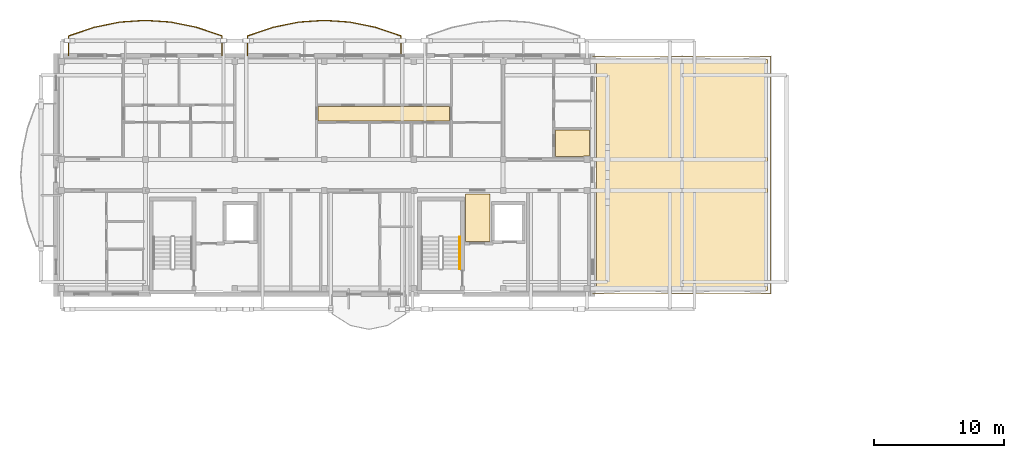
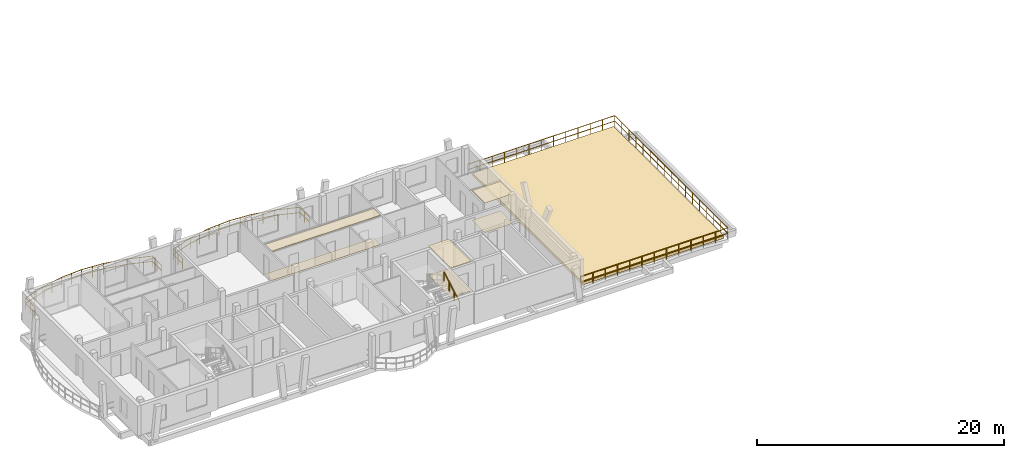
# One storey, part 37 of 42: 7 coverings, 4 railings.
"""IFC4 building model written with IfcOpenShell, lengths in metres."""

from ifc_helpers import new_model, si_unit, direction, frame, origin, origin_2d, place, context, subcontext, project, spatial, polyline, rectangle, outline, extrude, material, layer, layer_set, type_object, element, save


model = new_model("IFC4")

# Units and contexts
model_context = context("Model", 3, precision=1e-05, world=origin(), true_north=direction((0.0, 1.0)))
body_context = subcontext(model_context, "Body", "Model", "MODEL_VIEW")
ifc_project = project(units=[si_unit("LENGTHUNIT", "METRE"), si_unit("AREAUNIT", "SQUARE_METRE"), si_unit("VOLUMEUNIT", "CUBIC_METRE"), si_unit("PLANEANGLEUNIT", "RADIAN"), si_unit("MASSUNIT", "GRAM", prefix="KILO")], contexts=[model_context])

# Site, building, storey
site_placement = place(None, origin())
site = spatial("IfcSite", under=ifc_project, at=site_placement, CompositionType="ELEMENT")
building_placement = place(site_placement, origin())
building = spatial("IfcBuilding", under=site, at=building_placement, Name="Zavelmont Quarter", CompositionType="ELEMENT")
storey_placement = place(building_placement, frame((0.0, 0.0, 24.0)))
storey = spatial("IfcBuildingStorey", under=building, at=storey_placement, Name="L07", CompositionType="ELEMENT", Elevation=24.0)

# Coverings
ifc_material_1 = material(Name="Perforated acoustic gypsum board")
ifc_layer_1 = layer(ifc_material_1, 0.02490234375)
ifc_layer_set_1 = layer_set([ifc_layer_1], Name="Perforated acoustic gypsum board")
covering_type_1 = type_object("IfcCoveringType", Name="CV-CL01", PredefinedType="CEILING", material=ifc_layer_set_1)
covering_1_placement = place(storey_placement, frame((0.0, 0.0, 2.925048828125)))
element("IfcCovering", 1, at=covering_1_placement, inside=storey, type_object=covering_type_1, Name="L07 Lobby Vestibule acoustic ceiling", PredefinedType="CEILING", context=body_context, shape_type="SweptSolid", body=[
    extrude(outline(polyline([(31.580078125, 105.320068359375), (33.469970703125, 105.320068359375), (33.469970703125, 101.679931640625), (31.580078125, 101.679931640625), (31.580078125, 105.320068359375)])), origin(), (0.0, 0.0, 1.0), 0.02490234375),
])
covering_2_placement = place(storey_placement, frame((0.0, 0.0, 2.925048828125)))
element("IfcCovering", 2, at=covering_2_placement, inside=storey, type_object=covering_type_1, Name="L07 Kitchen acoustic ceiling", PredefinedType="CEILING", context=body_context, shape_type="SweptSolid", body=[
    extrude(outline(polyline([(38.530029296875, 110.27001953125), (41.169921875, 110.27001953125), (41.169921875, 108.264892578125), (40.695068359375, 108.264892578125), (40.695068359375, 108.22998046875), (38.530029296875, 108.22998046875), (38.530029296875, 110.27001953125)])), origin(), (0.0, 0.0, 1.0), 0.02490234375),
])
ifc_material_2 = material(Name="Slatted European ash acoustic baffle ceiling")
ifc_layer_2 = layer(ifc_material_2, 0.0400390625)
ifc_layer_set_2 = layer_set([ifc_layer_2], Name="Slatted European ash acoustic baffle ceiling")
covering_type_2 = type_object("IfcCoveringType", Name="CV-CL02", PredefinedType="CEILING", material=ifc_layer_set_2)
covering_3_placement = place(storey_placement, frame((0.0, 0.0, 2.909912109375)))
element("IfcCovering", 3, at=covering_3_placement, inside=storey, type_object=covering_type_2, Name="L07 Apartment Hall acoustic ceiling", PredefinedType="CEILING", context=body_context, shape_type="SweptSolid", body=[
    extrude(outline(polyline([(20.22998046875, 112.070068359375), (30.3701171875, 112.070068359375), (30.3701171875, 110.97998046875), (20.22998046875, 110.97998046875), (20.22998046875, 112.070068359375)])), origin(), (0.0, 0.0, 1.0), 0.0400390625),
])
ifc_material_3 = material(Name="Engineered European oak parquet")
ifc_layer_3 = layer(ifc_material_3, 0.02197265625)
ifc_layer_set_3 = layer_set([ifc_layer_3], Name="Engineered European oak parquet")
covering_type_3 = type_object("IfcCoveringType", Name="CV-FL01", PredefinedType="FLOORING", material=ifc_layer_set_3)
covering_4_placement = place(storey_placement, origin())
element("IfcCovering", 4, at=covering_4_placement, inside=storey, type_object=covering_type_3, Name="L07 Lobby Vestibule floor finish", PredefinedType="FLOORING", context=body_context, shape_type="SweptSolid", body=[
    extrude(outline(polyline([(31.580078125, 105.320068359375), (33.469970703125, 105.320068359375), (33.469970703125, 101.679931640625), (31.580078125, 101.679931640625), (31.580078125, 105.320068359375)])), origin(), (0.0, 0.0, 1.0), 0.02197265625),
])
covering_5_placement = place(storey_placement, origin())
element("IfcCovering", 5, at=covering_5_placement, inside=storey, type_object=covering_type_3, Name="L07 Kitchen floor finish", PredefinedType="FLOORING", context=body_context, shape_type="SweptSolid", body=[
    extrude(outline(polyline([(38.530029296875, 110.27001953125), (41.169921875, 110.27001953125), (41.169921875, 108.264892578125), (40.695068359375, 108.264892578125), (40.695068359375, 108.22998046875), (38.530029296875, 108.22998046875), (38.530029296875, 110.27001953125)])), origin(), (0.0, 0.0, 1.0), 0.02197265625),
])
ifc_material_4 = material(Name="Honed Belgian bluestone tile", Category="masonry")
ifc_layer_4 = layer(ifc_material_4, 0.030029296875)
ifc_layer_set_4 = layer_set([ifc_layer_4], Name="Honed Belgian bluestone tile")
covering_type_4 = type_object("IfcCoveringType", Name="CV-FL02", PredefinedType="FLOORING", material=ifc_layer_set_4)
covering_6_placement = place(storey_placement, origin())
element("IfcCovering", 6, at=covering_6_placement, inside=storey, type_object=covering_type_4, Name="L07 Apartment Hall floor finish", PredefinedType="FLOORING", context=body_context, shape_type="SweptSolid", body=[
    extrude(outline(polyline([(20.22998046875, 112.070068359375), (30.3701171875, 112.070068359375), (30.3701171875, 110.97998046875), (20.22998046875, 110.97998046875), (20.22998046875, 112.070068359375)])), origin(), (0.0, 0.0, 1.0), 0.030029296875),
])
ifc_material_5 = material(Name="EPDM waterproofing membrane and mineral insulation")
ifc_layer_5 = layer(ifc_material_5, 0.280029296875)
ifc_layer_set_5 = layer_set([ifc_layer_5], Name="EPDM waterproofing membrane and mineral insulation")
covering_type_5 = type_object("IfcCoveringType", Name="CV-RF02", PredefinedType="ROOFING", material=ifc_layer_set_5)
covering_7_placement = place(storey_placement, origin())
element("IfcCovering", 7, at=covering_7_placement, inside=storey, type_object=covering_type_5, Name="L07 roof build-up CV-RF02", PredefinedType="ROOFING", context=body_context, shape_type="SweptSolid", body=[
    extrude(outline(polyline([(41.699951171875, 97.89990234375), (54.89990234375, 97.89990234375), (54.89990234375, 115.699951171875), (41.699951171875, 115.699951171875), (41.699951171875, 97.89990234375)])), origin(), (0.0, 0.0, 1.0), 0.280029296875),
])

# Railings
ifc_material_6 = material(Name="Powder-coated steel and tempered double safety glass", Category="steel")
railing_type_1 = type_object("IfcRailingType", Name="RL-BAL1", PredefinedType="BALUSTRADE", material=ifc_material_6)
railing_1_placement = place(storey_placement, frame((12.821044921875, 116.02001953125, 0.0)))
element("IfcRailing", 8, at=railing_1_placement, inside=storey, type_object=railing_type_1, Name="L07 Block B curved balcony guard RL-BAL1", PredefinedType="BALUSTRADE", context=body_context, shape_type="SweptSolid", body=[
    extrude(rectangle(XDim=0.048095703125, YDim=0.048095703125, at=origin_2d()), frame((0.0, 0.0, 1.076171875), z_axis=(0.0, 1.0, 0.0), x_axis=(-1.0, 0.0, 0.0)), (0.0, 0.0, 1.0), 1.50830078125),
    extrude(rectangle(XDim=0.048095703125, YDim=0.048095703125, at=origin_2d()), frame((0.0, 0.0, 0.550048828125), z_axis=(0.0, 1.0, 0.0), x_axis=(-1.0, 0.0, 0.0)), (0.0, 0.0, 1.0), 1.50830078125),
    extrude(rectangle(XDim=0.048095703125, YDim=0.048095703125, at=origin_2d()), frame((0.0, 1.50830078125, 1.076171875), z_axis=(-0.947362600298, 0.320162620487, 0.0), x_axis=(-0.320162620487, -0.947362600298, 0.0)), (0.0, 0.0, 1.0), 2.083251953125),
    extrude(rectangle(XDim=0.048095703125, YDim=0.048095703125, at=origin_2d()), frame((0.0, 1.50830078125, 0.550048828125), z_axis=(-0.947362600298, 0.320162620487, 0.0), x_axis=(-0.320162620487, -0.947362600298, 0.0)), (0.0, 0.0, 1.0), 2.083251953125),
    extrude(rectangle(XDim=0.048095703125, YDim=0.048095703125, at=origin_2d()), frame((-1.9736328125, 2.17529296875, 1.076171875), z_axis=(-0.98003606704, 0.19881978599, 0.0), x_axis=(-0.19881978599, -0.98003606704, 0.0)), (0.0, 0.0, 1.0), 2.013916015625),
    extrude(rectangle(XDim=0.048095703125, YDim=0.048095703125, at=origin_2d()), frame((-1.9736328125, 2.17529296875, 0.550048828125), z_axis=(-0.98003606704, 0.19881978599, 0.0), x_axis=(-0.19881978599, -0.98003606704, 0.0)), (0.0, 0.0, 1.0), 2.013916015625),
    extrude(rectangle(XDim=0.048095703125, YDim=0.048095703125, at=origin_2d()), frame((-3.947265625, 2.57568359375, 1.076171875), z_axis=(-0.997727453158, 0.067378996837, 0.0), x_axis=(-0.067378996837, -0.997727453158, 0.0)), (0.0, 0.0, 1.0), 1.978271484375),
    extrude(rectangle(XDim=0.048095703125, YDim=0.048095703125, at=origin_2d()), frame((-3.947265625, 2.57568359375, 0.550048828125), z_axis=(-0.997727453158, 0.067378996837, 0.0), x_axis=(-0.067378996837, -0.997727453158, 0.0)), (0.0, 0.0, 1.0), 1.978271484375),
    extrude(rectangle(XDim=0.048095703125, YDim=0.048095703125, at=origin_2d()), frame((-5.921142578125, 2.708984375, 1.076171875), z_axis=(-0.997726892806, -0.067387293849, 0.0), x_axis=(0.067387293849, -0.997726892806, 0.0)), (0.0, 0.0, 1.0), 1.97802734375),
    extrude(rectangle(XDim=0.048095703125, YDim=0.048095703125, at=origin_2d()), frame((-5.921142578125, 2.708984375, 0.550048828125), z_axis=(-0.997726892806, -0.067387293849, 0.0), x_axis=(0.067387293849, -0.997726892806, 0.0)), (0.0, 0.0, 1.0), 1.97802734375),
    extrude(rectangle(XDim=0.048095703125, YDim=0.048095703125, at=origin_2d()), frame((-7.894775390625, 2.57568359375, 1.076171875), z_axis=(-0.98003606704, -0.19881978599, 0.0), x_axis=(0.19881978599, -0.98003606704, 0.0)), (0.0, 0.0, 1.0), 2.013916015625),
    extrude(rectangle(XDim=0.048095703125, YDim=0.048095703125, at=origin_2d()), frame((-7.894775390625, 2.57568359375, 0.550048828125), z_axis=(-0.98003606704, -0.19881978599, 0.0), x_axis=(0.19881978599, -0.98003606704, 0.0)), (0.0, 0.0, 1.0), 2.013916015625),
    extrude(rectangle(XDim=0.048095703125, YDim=0.048095703125, at=origin_2d()), frame((-9.868408203125, 2.17529296875, 1.076171875), z_axis=(-0.947362600298, -0.320162620487, 0.0), x_axis=(0.320162620487, -0.947362600298, 0.0)), (0.0, 0.0, 1.0), 2.083251953125),
    extrude(rectangle(XDim=0.048095703125, YDim=0.048095703125, at=origin_2d()), frame((-9.868408203125, 2.17529296875, 0.550048828125), z_axis=(-0.947362600298, -0.320162620487, 0.0), x_axis=(0.320162620487, -0.947362600298, 0.0)), (0.0, 0.0, 1.0), 2.083251953125),
    extrude(rectangle(XDim=0.048095703125, YDim=0.048095703125, at=origin_2d()), frame((-11.842041015625, 1.50830078125, 1.076171875), z_axis=(0.0, -1.0, 0.0), x_axis=(1.0, 0.0, 0.0)), (0.0, 0.0, 1.0), 1.50830078125),
    extrude(rectangle(XDim=0.048095703125, YDim=0.048095703125, at=origin_2d()), frame((-11.842041015625, 1.50830078125, 0.550048828125), z_axis=(0.0, -1.0, 0.0), x_axis=(1.0, 0.0, 0.0)), (0.0, 0.0, 1.0), 1.50830078125),
    extrude(rectangle(XDim=0.0419921875, YDim=0.0419921875, at=origin_2d()), origin(), (0.0, 0.0, 1.0), 1.052001953125),
    extrude(rectangle(XDim=0.0419921875, YDim=0.0419921875, at=origin_2d()), frame((0.0, 0.754150390625, 0.0)), (0.0, 0.0, 1.0), 1.052001953125),
    extrude(rectangle(XDim=0.0419921875, YDim=0.0419921875, at=origin_2d()), frame((0.0, 1.50830078125, 0.0)), (0.0, 0.0, 1.0), 1.052001953125),
    extrude(rectangle(XDim=0.0419921875, YDim=0.0419921875, at=origin_2d()), frame((-0.98681640625, 1.841796875, 0.0)), (0.0, 0.0, 1.0), 1.052001953125),
    extrude(rectangle(XDim=0.0419921875, YDim=0.0419921875, at=origin_2d()), frame((-1.9736328125, 2.17529296875, 0.0)), (0.0, 0.0, 1.0), 1.052001953125),
    extrude(rectangle(XDim=0.0419921875, YDim=0.0419921875, at=origin_2d()), frame((-2.96044921875, 2.37548828125, 0.0)), (0.0, 0.0, 1.0), 1.052001953125),
    extrude(rectangle(XDim=0.0419921875, YDim=0.0419921875, at=origin_2d()), frame((-3.947265625, 2.57568359375, 0.0)), (0.0, 0.0, 1.0), 1.052001953125),
    extrude(rectangle(XDim=0.0419921875, YDim=0.0419921875, at=origin_2d()), frame((-4.93408203125, 2.642333984375, 0.0)), (0.0, 0.0, 1.0), 1.052001953125),
    extrude(rectangle(XDim=0.0419921875, YDim=0.0419921875, at=origin_2d()), frame((-5.921142578125, 2.708984375, 0.0)), (0.0, 0.0, 1.0), 1.052001953125),
    extrude(rectangle(XDim=0.0419921875, YDim=0.0419921875, at=origin_2d()), frame((-6.907958984375, 2.642333984375, 0.0)), (0.0, 0.0, 1.0), 1.052001953125),
    extrude(rectangle(XDim=0.0419921875, YDim=0.0419921875, at=origin_2d()), frame((-7.894775390625, 2.57568359375, 0.0)), (0.0, 0.0, 1.0), 1.052001953125),
    extrude(rectangle(XDim=0.0419921875, YDim=0.0419921875, at=origin_2d()), frame((-8.881591796875, 2.37548828125, 0.0)), (0.0, 0.0, 1.0), 1.052001953125),
    extrude(rectangle(XDim=0.0419921875, YDim=0.0419921875, at=origin_2d()), frame((-9.868408203125, 2.17529296875, 0.0)), (0.0, 0.0, 1.0), 1.052001953125),
    extrude(rectangle(XDim=0.0419921875, YDim=0.0419921875, at=origin_2d()), frame((-10.855224609375, 1.841796875, 0.0)), (0.0, 0.0, 1.0), 1.052001953125),
    extrude(rectangle(XDim=0.0419921875, YDim=0.0419921875, at=origin_2d()), frame((-11.842041015625, 1.50830078125, 0.0)), (0.0, 0.0, 1.0), 1.052001953125),
    extrude(rectangle(XDim=0.0419921875, YDim=0.0419921875, at=origin_2d()), frame((-11.842041015625, 0.754150390625, 0.0)), (0.0, 0.0, 1.0), 1.052001953125),
    extrude(rectangle(XDim=0.0419921875, YDim=0.0419921875, at=origin_2d()), frame((-11.842041015625, 0.0, 0.0)), (0.0, 0.0, 1.0), 1.052001953125),
])
railing_2_placement = place(storey_placement, frame((26.62109375, 116.02001953125, 0.0)))
element("IfcRailing", 9, at=railing_2_placement, inside=storey, type_object=railing_type_1, Name="L07 Block B curved balcony guard RL-BAL1", PredefinedType="BALUSTRADE", context=body_context, shape_type="SweptSolid", body=[
    extrude(rectangle(XDim=0.048095703125, YDim=0.048095703125, at=origin_2d()), frame((0.0, 0.0, 1.076171875), z_axis=(0.0, 1.0, 0.0), x_axis=(-1.0, 0.0, 0.0)), (0.0, 0.0, 1.0), 1.50830078125),
    extrude(rectangle(XDim=0.048095703125, YDim=0.048095703125, at=origin_2d()), frame((0.0, 0.0, 0.550048828125), z_axis=(0.0, 1.0, 0.0), x_axis=(-1.0, 0.0, 0.0)), (0.0, 0.0, 1.0), 1.50830078125),
    extrude(rectangle(XDim=0.048095703125, YDim=0.048095703125, at=origin_2d()), frame((0.0, 1.50830078125, 1.076171875), z_axis=(-0.947362600298, 0.320162620487, 0.0), x_axis=(-0.320162620487, -0.947362600298, 0.0)), (0.0, 0.0, 1.0), 2.083251953125),
    extrude(rectangle(XDim=0.048095703125, YDim=0.048095703125, at=origin_2d()), frame((0.0, 1.50830078125, 0.550048828125), z_axis=(-0.947362600298, 0.320162620487, 0.0), x_axis=(-0.320162620487, -0.947362600298, 0.0)), (0.0, 0.0, 1.0), 2.083251953125),
    extrude(rectangle(XDim=0.048095703125, YDim=0.048095703125, at=origin_2d()), frame((-1.9736328125, 2.17529296875, 1.076171875), z_axis=(-0.980040858386, 0.198796166698, 0.0), x_axis=(-0.198796166698, -0.980040858386, 0.0)), (0.0, 0.0, 1.0), 2.01416015625),
    extrude(rectangle(XDim=0.048095703125, YDim=0.048095703125, at=origin_2d()), frame((-1.9736328125, 2.17529296875, 0.550048828125), z_axis=(-0.980040858386, 0.198796166698, 0.0), x_axis=(-0.198796166698, -0.980040858386, 0.0)), (0.0, 0.0, 1.0), 2.01416015625),
    extrude(rectangle(XDim=0.048095703125, YDim=0.048095703125, at=origin_2d()), frame((-3.947509765625, 2.57568359375, 1.076171875), z_axis=(-0.997726892806, 0.067387293849, 0.0), x_axis=(-0.067387293849, -0.997726892806, 0.0)), (0.0, 0.0, 1.0), 1.97802734375),
    extrude(rectangle(XDim=0.048095703125, YDim=0.048095703125, at=origin_2d()), frame((-3.947509765625, 2.57568359375, 0.550048828125), z_axis=(-0.997726892806, 0.067387293849, 0.0), x_axis=(-0.067387293849, -0.997726892806, 0.0)), (0.0, 0.0, 1.0), 1.97802734375),
    extrude(rectangle(XDim=0.048095703125, YDim=0.048095703125, at=origin_2d()), frame((-5.921142578125, 2.708984375, 1.076171875), z_axis=(-0.997726892806, -0.067387293849, 0.0), x_axis=(0.067387293849, -0.997726892806, 0.0)), (0.0, 0.0, 1.0), 1.97802734375),
    extrude(rectangle(XDim=0.048095703125, YDim=0.048095703125, at=origin_2d()), frame((-5.921142578125, 2.708984375, 0.550048828125), z_axis=(-0.997726892806, -0.067387293849, 0.0), x_axis=(0.067387293849, -0.997726892806, 0.0)), (0.0, 0.0, 1.0), 1.97802734375),
    extrude(rectangle(XDim=0.048095703125, YDim=0.048095703125, at=origin_2d()), frame((-7.894775390625, 2.57568359375, 1.076171875), z_axis=(-0.98003606704, -0.19881978599, 0.0), x_axis=(0.19881978599, -0.98003606704, 0.0)), (0.0, 0.0, 1.0), 2.013916015625),
    extrude(rectangle(XDim=0.048095703125, YDim=0.048095703125, at=origin_2d()), frame((-7.894775390625, 2.57568359375, 0.550048828125), z_axis=(-0.98003606704, -0.19881978599, 0.0), x_axis=(0.19881978599, -0.98003606704, 0.0)), (0.0, 0.0, 1.0), 2.013916015625),
    extrude(rectangle(XDim=0.048095703125, YDim=0.048095703125, at=origin_2d()), frame((-9.868408203125, 2.17529296875, 1.076171875), z_axis=(-0.947374610736, -0.320127079348, 0.0), x_axis=(0.320127079348, -0.947374610736, 0.0)), (0.0, 0.0, 1.0), 2.08349609375),
    extrude(rectangle(XDim=0.048095703125, YDim=0.048095703125, at=origin_2d()), frame((-9.868408203125, 2.17529296875, 0.550048828125), z_axis=(-0.947374610736, -0.320127079348, 0.0), x_axis=(0.320127079348, -0.947374610736, 0.0)), (0.0, 0.0, 1.0), 2.08349609375),
    extrude(rectangle(XDim=0.048095703125, YDim=0.048095703125, at=origin_2d()), frame((-11.84228515625, 1.50830078125, 1.076171875), z_axis=(0.0, -1.0, 0.0), x_axis=(1.0, 0.0, 0.0)), (0.0, 0.0, 1.0), 1.50830078125),
    extrude(rectangle(XDim=0.048095703125, YDim=0.048095703125, at=origin_2d()), frame((-11.84228515625, 1.50830078125, 0.550048828125), z_axis=(0.0, -1.0, 0.0), x_axis=(1.0, 0.0, 0.0)), (0.0, 0.0, 1.0), 1.50830078125),
    extrude(rectangle(XDim=0.0419921875, YDim=0.0419921875, at=origin_2d()), origin(), (0.0, 0.0, 1.0), 1.052001953125),
    extrude(rectangle(XDim=0.0419921875, YDim=0.0419921875, at=origin_2d()), frame((0.0, 0.754150390625, 0.0)), (0.0, 0.0, 1.0), 1.052001953125),
    extrude(rectangle(XDim=0.0419921875, YDim=0.0419921875, at=origin_2d()), frame((0.0, 1.50830078125, 0.0)), (0.0, 0.0, 1.0), 1.052001953125),
    extrude(rectangle(XDim=0.0419921875, YDim=0.0419921875, at=origin_2d()), frame((-0.98681640625, 1.841796875, 0.0)), (0.0, 0.0, 1.0), 1.052001953125),
    extrude(rectangle(XDim=0.0419921875, YDim=0.0419921875, at=origin_2d()), frame((-1.9736328125, 2.17529296875, 0.0)), (0.0, 0.0, 1.0), 1.052001953125),
    extrude(rectangle(XDim=0.0419921875, YDim=0.0419921875, at=origin_2d()), frame((-2.96044921875, 2.37548828125, 0.0)), (0.0, 0.0, 1.0), 1.052001953125),
    extrude(rectangle(XDim=0.0419921875, YDim=0.0419921875, at=origin_2d()), frame((-3.947509765625, 2.57568359375, 0.0)), (0.0, 0.0, 1.0), 1.052001953125),
    extrude(rectangle(XDim=0.0419921875, YDim=0.0419921875, at=origin_2d()), frame((-4.934326171875, 2.642333984375, 0.0)), (0.0, 0.0, 1.0), 1.052001953125),
    extrude(rectangle(XDim=0.0419921875, YDim=0.0419921875, at=origin_2d()), frame((-5.921142578125, 2.708984375, 0.0)), (0.0, 0.0, 1.0), 1.052001953125),
    extrude(rectangle(XDim=0.0419921875, YDim=0.0419921875, at=origin_2d()), frame((-6.907958984375, 2.642333984375, 0.0)), (0.0, 0.0, 1.0), 1.052001953125),
    extrude(rectangle(XDim=0.0419921875, YDim=0.0419921875, at=origin_2d()), frame((-7.894775390625, 2.57568359375, 0.0)), (0.0, 0.0, 1.0), 1.052001953125),
    extrude(rectangle(XDim=0.0419921875, YDim=0.0419921875, at=origin_2d()), frame((-8.881591796875, 2.37548828125, 0.0)), (0.0, 0.0, 1.0), 1.052001953125),
    extrude(rectangle(XDim=0.0419921875, YDim=0.0419921875, at=origin_2d()), frame((-9.868408203125, 2.17529296875, 0.0)), (0.0, 0.0, 1.0), 1.052001953125),
    extrude(rectangle(XDim=0.0419921875, YDim=0.0419921875, at=origin_2d()), frame((-10.85546875, 1.841796875, 0.0)), (0.0, 0.0, 1.0), 1.052001953125),
    extrude(rectangle(XDim=0.0419921875, YDim=0.0419921875, at=origin_2d()), frame((-11.84228515625, 1.50830078125, 0.0)), (0.0, 0.0, 1.0), 1.052001953125),
    extrude(rectangle(XDim=0.0419921875, YDim=0.0419921875, at=origin_2d()), frame((-11.84228515625, 0.754150390625, 0.0)), (0.0, 0.0, 1.0), 1.052001953125),
    extrude(rectangle(XDim=0.0419921875, YDim=0.0419921875, at=origin_2d()), frame((-11.84228515625, 0.0, 0.0)), (0.0, 0.0, 1.0), 1.052001953125),
])
ifc_material_7 = material(Name="Brushed stainless-steel wall handrail", Category="steel")
railing_type_2 = type_object("IfcRailingType", Name="RL-HND1", PredefinedType="HANDRAIL", material=ifc_material_7)
railing_3_placement = place(storey_placement, frame((31.14990234375, 99.550048828125, 0.177734375)))
element("IfcRailing", 10, at=railing_3_placement, inside=storey, type_object=railing_type_2, Name="L07 ST04 stair handrail 1", PredefinedType="HANDRAIL", context=body_context, shape_type="SweptSolid", body=[
    extrude(rectangle(XDim=0.048095703125, YDim=0.048095703125, at=origin_2d()), frame((0.0, 0.0, 0.8759765625), z_axis=(0.0, 0.867453774394, 0.497517787913), x_axis=(-1.0, 0.0, 0.0)), (0.0, 0.0, 1.0), 2.85888671875),
    extrude(rectangle(XDim=0.0419921875, YDim=0.0419921875, at=origin_2d()), origin(), (0.0, 0.0, 1.0), 0.851806640625),
    extrude(rectangle(XDim=0.0419921875, YDim=0.0419921875, at=origin_2d()), frame((0.0, 0.82666015625, 0.47412109375)), (0.0, 0.0, 1.0), 0.851806640625),
    extrude(rectangle(XDim=0.0419921875, YDim=0.0419921875, at=origin_2d()), frame((0.0, 1.6533203125, 0.9482421875)), (0.0, 0.0, 1.0), 0.851806640625),
    extrude(rectangle(XDim=0.0419921875, YDim=0.0419921875, at=origin_2d()), frame((0.0, 2.47998046875, 1.42236328125)), (0.0, 0.0, 1.0), 0.851806640625),
])
railing_type_3 = type_object("IfcRailingType", Name="RL-TER1", PredefinedType="BALUSTRADE", material=ifc_material_6)
railing_4_placement = place(storey_placement, frame((41.39990234375, 97.64990234375, 0.0)))
element("IfcRailing", 11, at=railing_4_placement, inside=storey, type_object=railing_type_3, Name="L07 Block B setback terrace guard RL-TER1", PredefinedType="BALUSTRADE", context=body_context, shape_type="SweptSolid", body=[
    extrude(rectangle(XDim=0.048095703125, YDim=0.048095703125, at=origin_2d()), frame((0.0, 0.0, 1.09619140625), z_axis=(1.0, 0.0, 0.0), x_axis=(0.0, 1.0, 0.0)), (0.0, 0.0, 1.0), 13.75),
    extrude(rectangle(XDim=0.048095703125, YDim=0.048095703125, at=origin_2d()), frame((0.0, 0.0, 0.56005859375), z_axis=(1.0, 0.0, 0.0), x_axis=(0.0, 1.0, 0.0)), (0.0, 0.0, 1.0), 13.75),
    extrude(rectangle(XDim=0.048095703125, YDim=0.048095703125, at=origin_2d()), frame((13.75, 0.0, 1.09619140625), z_axis=(0.0, 1.0, 0.0), x_axis=(-1.0, 0.0, 0.0)), (0.0, 0.0, 1.0), 18.300048828125),
    extrude(rectangle(XDim=0.048095703125, YDim=0.048095703125, at=origin_2d()), frame((13.75, 0.0, 0.56005859375), z_axis=(0.0, 1.0, 0.0), x_axis=(-1.0, 0.0, 0.0)), (0.0, 0.0, 1.0), 18.300048828125),
    extrude(rectangle(XDim=0.048095703125, YDim=0.048095703125, at=origin_2d()), frame((13.75, 18.300048828125, 1.09619140625), z_axis=(-1.0, 0.0, 0.0), x_axis=(0.0, -1.0, 0.0)), (0.0, 0.0, 1.0), 13.75),
    extrude(rectangle(XDim=0.048095703125, YDim=0.048095703125, at=origin_2d()), frame((13.75, 18.300048828125, 0.56005859375), z_axis=(-1.0, 0.0, 0.0), x_axis=(0.0, -1.0, 0.0)), (0.0, 0.0, 1.0), 13.75),
    extrude(rectangle(XDim=0.0419921875, YDim=0.0419921875, at=origin_2d()), origin(), (0.0, 0.0, 1.0), 1.072021484375),
    extrude(rectangle(XDim=0.0419921875, YDim=0.0419921875, at=origin_2d()), frame((1.145751953125, 0.0, 0.0)), (0.0, 0.0, 1.0), 1.072021484375),
    extrude(rectangle(XDim=0.0419921875, YDim=0.0419921875, at=origin_2d()), frame((2.291748046875, 0.0, 0.0)), (0.0, 0.0, 1.0), 1.072021484375),
    extrude(rectangle(XDim=0.0419921875, YDim=0.0419921875, at=origin_2d()), frame((3.4375, 0.0, 0.0)), (0.0, 0.0, 1.0), 1.072021484375),
    extrude(rectangle(XDim=0.0419921875, YDim=0.0419921875, at=origin_2d()), frame((4.583251953125, 0.0, 0.0)), (0.0, 0.0, 1.0), 1.072021484375),
    extrude(rectangle(XDim=0.0419921875, YDim=0.0419921875, at=origin_2d()), frame((5.729248046875, 0.0, 0.0)), (0.0, 0.0, 1.0), 1.072021484375),
    extrude(rectangle(XDim=0.0419921875, YDim=0.0419921875, at=origin_2d()), frame((6.875, 0.0, 0.0)), (0.0, 0.0, 1.0), 1.072021484375),
    extrude(rectangle(XDim=0.0419921875, YDim=0.0419921875, at=origin_2d()), frame((8.020751953125, 0.0, 0.0)), (0.0, 0.0, 1.0), 1.072021484375),
    extrude(rectangle(XDim=0.0419921875, YDim=0.0419921875, at=origin_2d()), frame((9.166748046875, 0.0, 0.0)), (0.0, 0.0, 1.0), 1.072021484375),
    extrude(rectangle(XDim=0.0419921875, YDim=0.0419921875, at=origin_2d()), frame((10.3125, 0.0, 0.0)), (0.0, 0.0, 1.0), 1.072021484375),
    extrude(rectangle(XDim=0.0419921875, YDim=0.0419921875, at=origin_2d()), frame((11.458251953125, 0.0, 0.0)), (0.0, 0.0, 1.0), 1.072021484375),
    extrude(rectangle(XDim=0.0419921875, YDim=0.0419921875, at=origin_2d()), frame((12.604248046875, 0.0, 0.0)), (0.0, 0.0, 1.0), 1.072021484375),
    extrude(rectangle(XDim=0.0419921875, YDim=0.0419921875, at=origin_2d()), frame((13.75, 0.0, 0.0)), (0.0, 0.0, 1.0), 1.072021484375),
    extrude(rectangle(XDim=0.0419921875, YDim=0.0419921875, at=origin_2d()), frame((13.75, 1.143798828125, 0.0)), (0.0, 0.0, 1.0), 1.072021484375),
    extrude(rectangle(XDim=0.0419921875, YDim=0.0419921875, at=origin_2d()), frame((13.75, 2.28759765625, 0.0)), (0.0, 0.0, 1.0), 1.072021484375),
    extrude(rectangle(XDim=0.0419921875, YDim=0.0419921875, at=origin_2d()), frame((13.75, 3.43115234375, 0.0)), (0.0, 0.0, 1.0), 1.072021484375),
    extrude(rectangle(XDim=0.0419921875, YDim=0.0419921875, at=origin_2d()), frame((13.75, 4.574951171875, 0.0)), (0.0, 0.0, 1.0), 1.072021484375),
    extrude(rectangle(XDim=0.0419921875, YDim=0.0419921875, at=origin_2d()), frame((13.75, 5.71875, 0.0)), (0.0, 0.0, 1.0), 1.072021484375),
    extrude(rectangle(XDim=0.0419921875, YDim=0.0419921875, at=origin_2d()), frame((13.75, 6.862548828125, 0.0)), (0.0, 0.0, 1.0), 1.072021484375),
    extrude(rectangle(XDim=0.0419921875, YDim=0.0419921875, at=origin_2d()), frame((13.75, 8.00634765625, 0.0)), (0.0, 0.0, 1.0), 1.072021484375),
    extrude(rectangle(XDim=0.0419921875, YDim=0.0419921875, at=origin_2d()), frame((13.75, 9.14990234375, 0.0)), (0.0, 0.0, 1.0), 1.072021484375),
    extrude(rectangle(XDim=0.0419921875, YDim=0.0419921875, at=origin_2d()), frame((13.75, 10.293701171875, 0.0)), (0.0, 0.0, 1.0), 1.072021484375),
    extrude(rectangle(XDim=0.0419921875, YDim=0.0419921875, at=origin_2d()), frame((13.75, 11.4375, 0.0)), (0.0, 0.0, 1.0), 1.072021484375),
    extrude(rectangle(XDim=0.0419921875, YDim=0.0419921875, at=origin_2d()), frame((13.75, 12.581298828125, 0.0)), (0.0, 0.0, 1.0), 1.072021484375),
    extrude(rectangle(XDim=0.0419921875, YDim=0.0419921875, at=origin_2d()), frame((13.75, 13.72509765625, 0.0)), (0.0, 0.0, 1.0), 1.072021484375),
    extrude(rectangle(XDim=0.0419921875, YDim=0.0419921875, at=origin_2d()), frame((13.75, 14.868896484375, 0.0)), (0.0, 0.0, 1.0), 1.072021484375),
    extrude(rectangle(XDim=0.0419921875, YDim=0.0419921875, at=origin_2d()), frame((13.75, 16.012451171875, 0.0)), (0.0, 0.0, 1.0), 1.072021484375),
    extrude(rectangle(XDim=0.0419921875, YDim=0.0419921875, at=origin_2d()), frame((13.75, 17.15625, 0.0)), (0.0, 0.0, 1.0), 1.072021484375),
    extrude(rectangle(XDim=0.0419921875, YDim=0.0419921875, at=origin_2d()), frame((13.75, 18.300048828125, 0.0)), (0.0, 0.0, 1.0), 1.072021484375),
    extrude(rectangle(XDim=0.0419921875, YDim=0.0419921875, at=origin_2d()), frame((12.604248046875, 18.300048828125, 0.0)), (0.0, 0.0, 1.0), 1.072021484375),
    extrude(rectangle(XDim=0.0419921875, YDim=0.0419921875, at=origin_2d()), frame((11.458251953125, 18.300048828125, 0.0)), (0.0, 0.0, 1.0), 1.072021484375),
    extrude(rectangle(XDim=0.0419921875, YDim=0.0419921875, at=origin_2d()), frame((10.3125, 18.300048828125, 0.0)), (0.0, 0.0, 1.0), 1.072021484375),
    extrude(rectangle(XDim=0.0419921875, YDim=0.0419921875, at=origin_2d()), frame((9.166748046875, 18.300048828125, 0.0)), (0.0, 0.0, 1.0), 1.072021484375),
    extrude(rectangle(XDim=0.0419921875, YDim=0.0419921875, at=origin_2d()), frame((8.020751953125, 18.300048828125, 0.0)), (0.0, 0.0, 1.0), 1.072021484375),
    extrude(rectangle(XDim=0.0419921875, YDim=0.0419921875, at=origin_2d()), frame((6.875, 18.300048828125, 0.0)), (0.0, 0.0, 1.0), 1.072021484375),
    extrude(rectangle(XDim=0.0419921875, YDim=0.0419921875, at=origin_2d()), frame((5.729248046875, 18.300048828125, 0.0)), (0.0, 0.0, 1.0), 1.072021484375),
    extrude(rectangle(XDim=0.0419921875, YDim=0.0419921875, at=origin_2d()), frame((4.583251953125, 18.300048828125, 0.0)), (0.0, 0.0, 1.0), 1.072021484375),
    extrude(rectangle(XDim=0.0419921875, YDim=0.0419921875, at=origin_2d()), frame((3.4375, 18.300048828125, 0.0)), (0.0, 0.0, 1.0), 1.072021484375),
    extrude(rectangle(XDim=0.0419921875, YDim=0.0419921875, at=origin_2d()), frame((2.291748046875, 18.300048828125, 0.0)), (0.0, 0.0, 1.0), 1.072021484375),
    extrude(rectangle(XDim=0.0419921875, YDim=0.0419921875, at=origin_2d()), frame((1.145751953125, 18.300048828125, 0.0)), (0.0, 0.0, 1.0), 1.072021484375),
    extrude(rectangle(XDim=0.0419921875, YDim=0.0419921875, at=origin_2d()), frame((0.0, 18.300048828125, 0.0)), (0.0, 0.0, 1.0), 1.072021484375),
])

save(model, "model.ifc")
